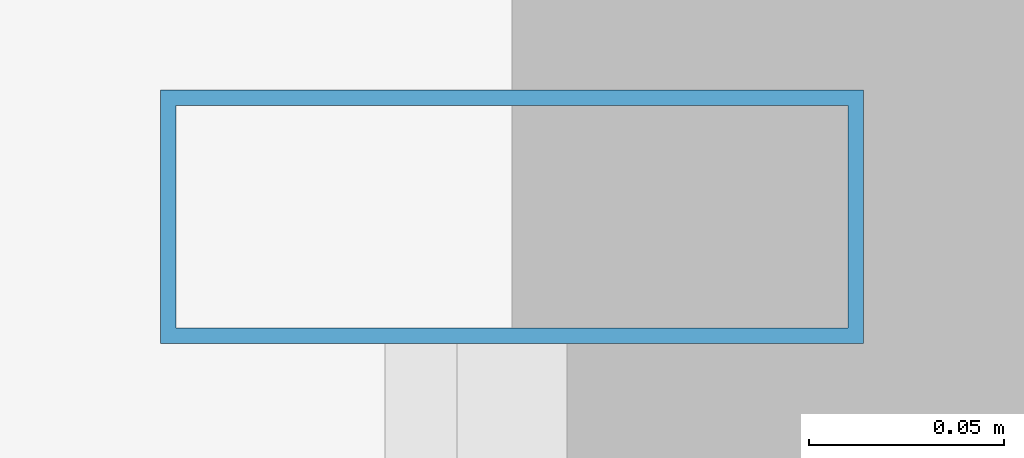
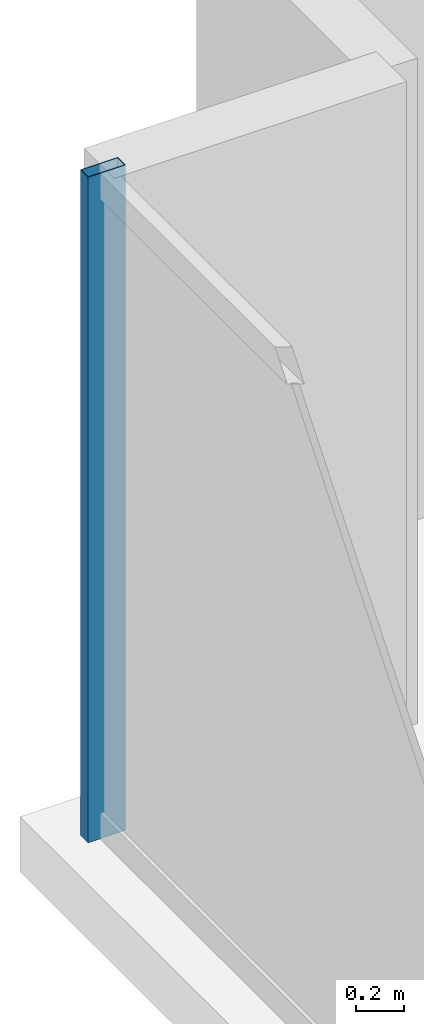
# One storey, part 20 of 35: 1 member, 1 element without a shape of its own.
"""IFC4 building model written with IfcOpenShell, lengths in metres."""

from ifc_helpers import new_model, si_unit, direction, frame, origin, origin_2d, place, context, subcontext, project, spatial, hollow_rectangle, extrude, source, transform, mapped, material, material_profile, profile_set, type_object, element, aggregate, save


model = new_model("IFC4")

# Units and contexts
model_context = context("Model", 3, precision=1e-05, world=origin(), true_north=direction((0.0, 1.0)))
body_context = subcontext(model_context, "Body", "Model", "MODEL_VIEW")
ifc_project = project(units=[si_unit("LENGTHUNIT", "METRE"), si_unit("AREAUNIT", "SQUARE_METRE"), si_unit("VOLUMEUNIT", "CUBIC_METRE"), si_unit("PLANEANGLEUNIT", "RADIAN"), si_unit("MASSUNIT", "GRAM", prefix="KILO")], contexts=[model_context])

# Site, building, storey
site_placement = place(None, origin())
site = spatial("IfcSite", under=ifc_project, at=site_placement, CompositionType="ELEMENT")
building_placement = place(site_placement, origin())
building = spatial("IfcBuilding", under=site, at=building_placement, Name="Nahalor Promenade Grand Hotel", CompositionType="ELEMENT")
storey_placement = place(building_placement, frame((0.0, 0.0, 39.699951171875)))
storey = spatial("IfcBuildingStorey", under=building, at=storey_placement, Name="L08", CompositionType="ELEMENT", Elevation=39.699951171875)

# Curtain wall, member
ifc_material = material(Name="Anodised Bronze Aluminium EN AW-6063 T6", Category="aluminium")
curtain_wall_type = type_object("IfcCurtainWallType", Name="CW2 Typical Hotel Flush Bronze Unitised Curtain Wall", PredefinedType="USERDEFINED", material=ifc_material)
curtain_wall_placement = place(storey_placement, origin())
curtain_wall = element("IfcCurtainWall", 1, at=curtain_wall_placement, inside=storey, type_object=curtain_wall_type, Name="L08 Curtain Wall CW-L08-W-1", ObjectType="UNITISED_CURTAIN_WALL", PredefinedType="USERDEFINED")
ifc_material_profile = material_profile(ifc_material, hollow_rectangle(XDim=0.065, YDim=0.18, WallThickness=0.004, at=origin_2d()), Name="CWM 65x180x4")
ifc_profile_set = profile_set([ifc_material_profile], Name="Anodised Bronze Aluminium EN AW-6063 T6")
member_type = type_object("IfcMemberType", Name="CWM2 Typical Bronze Mullion 65x180", PredefinedType="MULLION", material=ifc_profile_set)
shared_shape = source(origin(), body_context, "Body", "SweptSolid", [
    extrude(hollow_rectangle(XDim=0.065, YDim=0.18, WallThickness=0.004, at=origin_2d()), origin(), (0.0, 0.0, 1.0), 3.3701171875),
])
member_placement = place(storey_placement, frame((-25.159912109375, 22.327392578125, 0.0), z_axis=(0.0, 0.0, 1.0), x_axis=(0.0, 1.0, 0.0)))
member = element("IfcMember", 2, at=member_placement, type_object=member_type, Name="CW-L08-W-1 Mullion 4", PredefinedType="MULLION", context=body_context, shape_type="MappedRepresentation", body=[
    mapped(shared_shape, transform((0.0, 0.0, 0.0), scale=1.0)),
])
aggregate(curtain_wall, [member])

save(model, "model.ifc")
